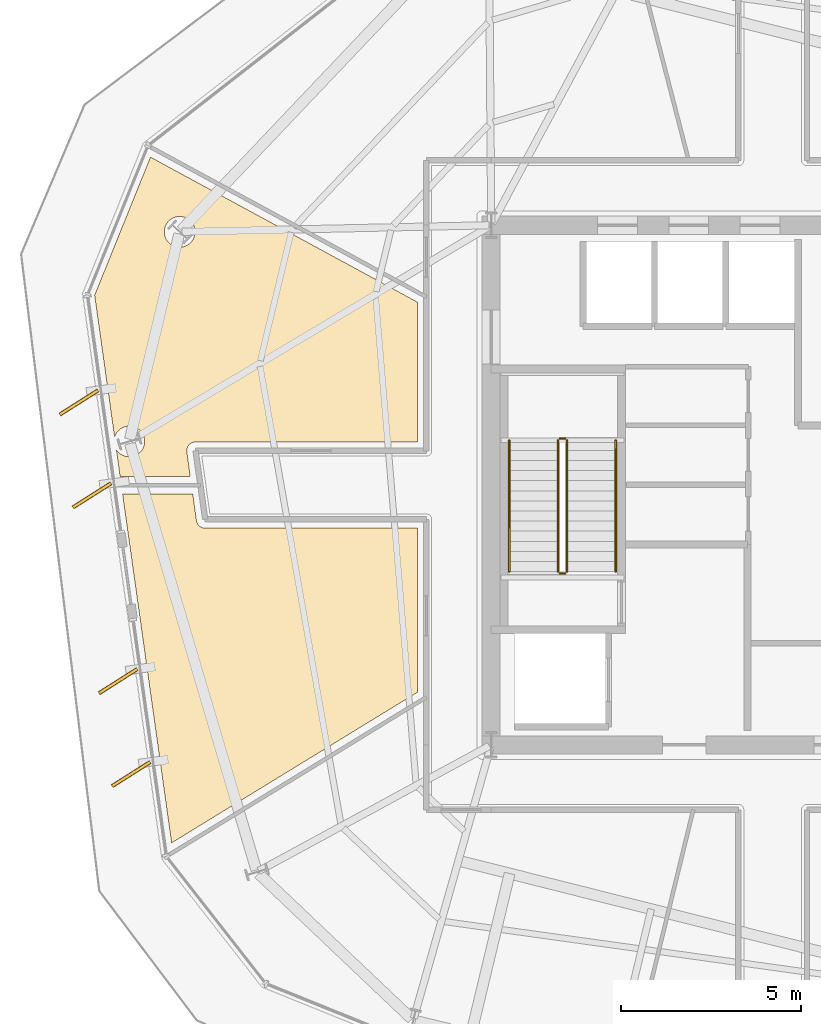
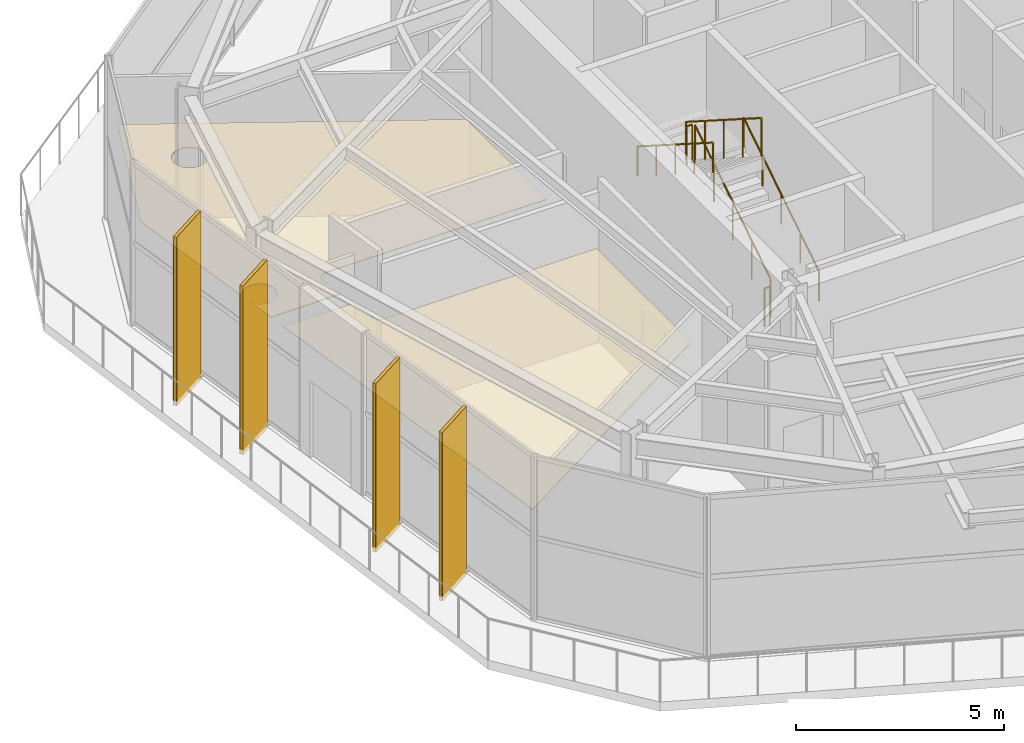
# One storey, part 12 of 14: 6 coverings, 6 railings, 4 shading devices.
"""IFC4 building model written with IfcOpenShell, lengths in metres."""

from ifc_helpers import new_model, si_unit, direction, frame, origin, origin_2d, place, context, subcontext, project, spatial, polyline, rectangle, circle, outline, extrude, material, layer, layer_set, type_object, element, save


model = new_model("IFC4")

# Units and contexts
model_context = context("Model", 3, precision=1e-05, world=origin(), true_north=direction((0.0, 1.0)))
body_context = subcontext(model_context, "Body", "Model", "MODEL_VIEW")
ifc_project = project(units=[si_unit("LENGTHUNIT", "METRE"), si_unit("AREAUNIT", "SQUARE_METRE"), si_unit("VOLUMEUNIT", "CUBIC_METRE"), si_unit("PLANEANGLEUNIT", "RADIAN"), si_unit("MASSUNIT", "GRAM", prefix="KILO")], contexts=[model_context])

# Site, building, storey
site_placement = place(None, origin())
site = spatial("IfcSite", under=ifc_project, at=site_placement, CompositionType="ELEMENT")
building_placement = place(site_placement, origin())
building = spatial("IfcBuilding", under=site, at=building_placement, Name="Kranzbogen Civic Tower", CompositionType="ELEMENT")
storey_placement = place(building_placement, frame((0.0, 0.0, 175.800048828125)))
storey = spatial("IfcBuildingStorey", under=building, at=storey_placement, Name="L42", CompositionType="ELEMENT", Elevation=175.800048828125)

# Coverings
ifc_material_1 = material(Name="Pale Anodised Aluminium", Category="aluminium")
ifc_layer_1 = layer(ifc_material_1, 0.02490234375, Name="Pale Anodised Aluminium")
ifc_layer_set_1 = layer_set([ifc_layer_1], Name="Pale Anodised Aluminium")
covering_type_1 = type_object("IfcCoveringType", Name="Anodised Aluminium Vertical Fin Cladding 25 mm", PredefinedType="CLADDING", material=ifc_layer_set_1)
for number, where, z_axis, x_axis, name in (
    (1, (5.77490234375, 27.2890625, -0.14013671875), (0.0, 0.0, 1.0), (-0.844991264934, -0.534780106384, 0.0), "L42 vertical fin pale-metal cladding F3-1"),
    (2, (6.135986328125, 24.714111328125, -0.14013671875), (0.0, 0.0, 1.0), (-0.844991264934, -0.534780106384, 0.0), "L42 vertical fin pale-metal cladding F3-2"),
    (3, (6.860107421875, 19.56494140625, -0.14013671875), (0.0, 0.0, 1.0), (-0.844991264934, -0.534780106384, 0.0), "L42 vertical fin pale-metal cladding F3-4"),
    (4, (7.221923828125, 16.989990234375, -0.14013671875), (0.0, 0.0, 1.0), (-0.844991264934, -0.534780106384, 0.0), "L42 vertical fin pale-metal cladding F3-5"),
):
    element("IfcCovering", number, at=place(storey_placement, frame(where, z_axis=z_axis, x_axis=x_axis)), inside=storey, type_object=covering_type_1, Name=name, PredefinedType="CLADDING", context=body_context, shape_type="SweptSolid", body=[
        extrude(rectangle(XDim=1.25, YDim=0.10009765625, at=origin_2d()), origin(), (0.0, 0.0, 1.0), 4.9599609375),
    ])

# Shading devices
ifc_material_2 = material(Name="Anodised Bronze Aluminium", Category="aluminium")
shading_device_type = type_object("IfcShadingDeviceType", Name="Anodised Bronze Vertical Facade Fin 1250x80", PredefinedType="USERDEFINED", material=ifc_material_2)
for number, where, z_axis, x_axis, name in (
    (5, (5.77490234375, 27.2890625, -0.14013671875), (0.0, 0.0, 1.0), (-0.844991264934, -0.534780106384, 0.0), "L42 vertical exterior shading fin F3-1"),
    (6, (6.135986328125, 24.714111328125, -0.14013671875), (0.0, 0.0, 1.0), (-0.844991264934, -0.534780106384, 0.0), "L42 vertical exterior shading fin F3-2"),
    (7, (6.860107421875, 19.56494140625, -0.14013671875), (0.0, 0.0, 1.0), (-0.844991264934, -0.534780106384, 0.0), "L42 vertical exterior shading fin F3-4"),
    (8, (7.221923828125, 16.989990234375, -0.14013671875), (0.0, 0.0, 1.0), (-0.844991264934, -0.534780106384, 0.0), "L42 vertical exterior shading fin F3-5"),
):
    element("IfcShadingDevice", number, at=place(storey_placement, frame(where, z_axis=z_axis, x_axis=x_axis)), inside=storey, type_object=shading_device_type, Name=name, ObjectType="FIN", PredefinedType="USERDEFINED", context=body_context, shape_type="SweptSolid", body=[
        extrude(rectangle(XDim=1.25, YDim=0.080078125, at=origin_2d()), origin(), (0.0, 0.0, 1.0), 4.9599609375),
    ])

# Railings
ifc_material_3 = material(Name="Steel S355", Category="steel")
railing_type_1 = type_object("IfcRailingType", Name="Internal Stair and Void Steel Guardrail 1150", PredefinedType="GUARDRAIL", material=ifc_material_3)
railing_1_placement = place(storey_placement, frame((19.300048828125, 22.60009765625, 0.178466796875)))
element("IfcRailing", 9, at=railing_1_placement, inside=storey, type_object=railing_type_1, Name="L42 ST-T1 stair guard 1", PredefinedType="GUARDRAIL", context=body_context, shape_type="SweptSolid", body=[
    extrude(circle(Radius=0.02392578125, at=origin_2d()), frame((0.0, 0.0, 1.1259765625), z_axis=(0.0, 0.843111507901, 0.53773877045), x_axis=(-1.0, 0.0, 0.0)), (0.0, 0.0, 1.0), 4.317138671875),
    extrude(circle(Radius=0.02099609375, at=origin_2d()), origin(), (0.0, 0.0, 1.0), 1.101806640625),
    extrude(circle(Radius=0.02099609375, at=origin_2d()), frame((0.0, 0.909912109375, 0.580322265625)), (0.0, 0.0, 1.0), 1.101806640625),
    extrude(circle(Radius=0.02099609375, at=origin_2d()), frame((0.0, 1.81982421875, 1.16064453125)), (0.0, 0.0, 1.0), 1.101806640625),
    extrude(circle(Radius=0.02099609375, at=origin_2d()), frame((0.0, 2.72998046875, 1.7412109375)), (0.0, 0.0, 1.0), 1.101806640625),
    extrude(circle(Radius=0.02099609375, at=origin_2d()), frame((0.0, 3.639892578125, 2.321533203125)), (0.0, 0.0, 1.0), 1.101806640625),
])
railing_2_placement = place(storey_placement, frame((19.25, 26.2900390625, 2.5)))
element("IfcRailing", 10, at=railing_2_placement, inside=storey, type_object=railing_type_1, Name="L42 ST-T1 stair guard 2", PredefinedType="GUARDRAIL", context=body_context, shape_type="SweptSolid", body=[
    extrude(circle(Radius=0.02392578125, at=origin_2d()), frame((0.0, 0.0, 1.1259765625), z_axis=(-1.0, 0.0, 0.0), x_axis=(0.0, -1.0, 0.0)), (0.0, 0.0, 1.0), 0.14990234375),
    extrude(circle(Radius=0.02099609375, at=origin_2d()), origin(), (0.0, 0.0, 1.0), 1.101806640625),
    extrude(circle(Radius=0.02099609375, at=origin_2d()), frame((-0.14990234375, 0.0, 0.0)), (0.0, 0.0, 1.0), 1.101806640625),
])
railing_3_placement = place(storey_placement, frame((19.050048828125, 26.239990234375, 2.678466796875)))
element("IfcRailing", 11, at=railing_3_placement, inside=storey, type_object=railing_type_1, Name="L42 ST-T1 stair guard 3", PredefinedType="GUARDRAIL", context=body_context, shape_type="SweptSolid", body=[
    extrude(circle(Radius=0.02392578125, at=origin_2d()), frame((0.0, 0.0, 1.1259765625), z_axis=(0.0, -0.843111507901, 0.53773877045), x_axis=(1.0, 0.0, 0.0)), (0.0, 0.0, 1.0), 4.317138671875),
    extrude(circle(Radius=0.02099609375, at=origin_2d()), origin(), (0.0, 0.0, 1.0), 1.101806640625),
    extrude(circle(Radius=0.02099609375, at=origin_2d()), frame((0.0, -0.909912109375, 0.580322265625)), (0.0, 0.0, 1.0), 1.101806640625),
    extrude(circle(Radius=0.02099609375, at=origin_2d()), frame((0.0, -1.81982421875, 1.16064453125)), (0.0, 0.0, 1.0), 1.101806640625),
    extrude(circle(Radius=0.02099609375, at=origin_2d()), frame((0.0, -2.72998046875, 1.7412109375)), (0.0, 0.0, 1.0), 1.101806640625),
    extrude(circle(Radius=0.02099609375, at=origin_2d()), frame((0.0, -3.639892578125, 2.321533203125)), (0.0, 0.0, 1.0), 1.101806640625),
])
railing_4_placement = place(storey_placement, frame((19.25, 22.550048828125, 0.0)))
element("IfcRailing", 12, at=railing_4_placement, inside=storey, type_object=railing_type_1, Name="L42 ST-T1 stair guard 4", PredefinedType="GUARDRAIL", context=body_context, shape_type="SweptSolid", body=[
    extrude(circle(Radius=0.02392578125, at=origin_2d()), frame((0.0, 0.0, 1.1259765625), z_axis=(-1.0, 0.0, 0.0), x_axis=(0.0, -1.0, 0.0)), (0.0, 0.0, 1.0), 0.14990234375),
    extrude(circle(Radius=0.02099609375, at=origin_2d()), origin(), (0.0, 0.0, 1.0), 1.101806640625),
    extrude(circle(Radius=0.02099609375, at=origin_2d()), frame((-0.14990234375, 0.0, 0.0)), (0.0, 0.0, 1.0), 1.101806640625),
])

# Coverings
ifc_material_4 = material(Name="Perforated Acoustic Gypsum Ceiling")
ifc_layer_2 = layer(ifc_material_4, 0.02490234375, Name="Perforated Acoustic Gypsum Ceiling")
ifc_layer_set_2 = layer_set([ifc_layer_2], Name="Perforated Acoustic Gypsum Ceiling")
covering_type_2 = type_object("IfcCoveringType", Name="Perforated Acoustic Mineral Ceiling Tile 25 mm", PredefinedType="CEILING", material=ifc_layer_set_2)
covering_1_placement = place(storey_placement, frame((0.0, 0.0, 2.89990234375)))
element("IfcCovering", 13, at=covering_1_placement, inside=storey, type_object=covering_type_2, Name="L42 Civic Reference Library acoustic ceiling", PredefinedType="CEILING", context=body_context, shape_type="SweptSolid", body=[
    extrude(outline(polyline([(15.155029296875, 30.069091796875), (15.155029296875, 26.195068359375), (9.007080078125, 26.195068359375), (8.998046875, 26.195068359375), (8.990966796875, 26.194091796875), (8.972900390625, 26.193115234375), (8.967041015625, 26.19189453125), (8.948974609375, 26.18798828125), (8.943115234375, 26.18603515625), (8.926025390625, 26.180908203125), (8.9189453125, 26.178955078125), (8.903076171875, 26.172119140625), (8.89697265625, 26.1689453125), (8.881103515625, 26.159912109375), (8.875, 26.156982421875), (8.861083984375, 26.14599609375), (8.85498046875, 26.14208984375), (8.842041015625, 26.131103515625), (8.8369140625, 26.1259765625), (8.823974609375, 26.113037109375), (8.820068359375, 26.10791015625), (8.80908203125, 26.093994140625), (8.804931640625, 26.089111328125), (8.794921875, 26.072998046875), (8.7919921875, 26.068115234375), (8.783935546875, 26.051025390625), (8.781005859375, 26.044921875), (8.77490234375, 26.029052734375), (8.77294921875, 26.02197265625), (8.76806640625, 26.0048828125), (8.76708984375, 25.998046875), (8.763916015625, 25.98095703125), (8.762939453125, 25.97412109375), (8.761962890625, 25.9560546875), (8.761962890625, 25.948974609375), (8.762939453125, 25.930908203125), (8.762939453125, 25.925048828125), (8.763916015625, 25.916015625), (8.860107421875, 25.236083984375), (6.916015625, 25.235107421875), (6.81103515625, 25.985107421875), (6.818115234375, 25.972900390625), (6.843017578125, 25.93896484375), (6.87109375, 25.907958984375), (6.902099609375, 25.8798828125), (6.93603515625, 25.85498046875), (6.970947265625, 25.833984375), (7.009033203125, 25.81591796875), (7.048095703125, 25.802001953125), (7.089111328125, 25.7919921875), (7.1298828125, 25.785888671875), (7.172119140625, 25.783935546875), (7.214111328125, 25.785888671875), (7.2548828125, 25.7919921875), (7.2958984375, 25.802001953125), (7.3349609375, 25.81591796875), (7.373046875, 25.833984375), (7.407958984375, 25.85498046875), (7.44189453125, 25.8798828125), (7.472900390625, 25.907958984375), (7.5009765625, 25.93896484375), (7.52587890625, 25.972900390625), (7.547119140625, 26.008056640625), (7.56494140625, 26.0458984375), (7.5791015625, 26.0849609375), (7.589111328125, 26.1259765625), (7.594970703125, 26.1669921875), (7.596923828125, 26.208984375), (7.594970703125, 26.2509765625), (7.589111328125, 26.2919921875), (7.5791015625, 26.3330078125), (7.56494140625, 26.3720703125), (7.547119140625, 26.409912109375), (7.52587890625, 26.445068359375), (7.5009765625, 26.47900390625), (7.472900390625, 26.510009765625), (7.44189453125, 26.5380859375), (7.407958984375, 26.56298828125), (7.373046875, 26.583984375), (7.3349609375, 26.60205078125), (7.2958984375, 26.615966796875), (7.2548828125, 26.6259765625), (7.214111328125, 26.632080078125), (7.172119140625, 26.634033203125), (7.1298828125, 26.632080078125), (7.089111328125, 26.6259765625), (7.048095703125, 26.615966796875), (7.009033203125, 26.60205078125), (6.970947265625, 26.583984375), (6.93603515625, 26.56298828125), (6.902099609375, 26.5380859375), (6.87109375, 26.510009765625), (6.843017578125, 26.47900390625), (6.818115234375, 26.445068359375), (6.797119140625, 26.409912109375), (6.779052734375, 26.3720703125), (6.764892578125, 26.3330078125), (6.762939453125, 26.324951171875), (6.2099609375, 30.259033203125), (7.757080078125, 34.0869140625), (15.155029296875, 30.069091796875)]), holes=[polyline([(8.9599609375, 31.85302734375), (8.94189453125, 31.81494140625), (8.9208984375, 31.780029296875), (8.89599609375, 31.74609375), (8.867919921875, 31.715087890625), (8.8369140625, 31.68701171875), (8.802978515625, 31.662109375), (8.76806640625, 31.64111328125), (8.72998046875, 31.623046875), (8.69091796875, 31.60888671875), (8.64990234375, 31.59912109375), (8.60888671875, 31.593017578125), (8.56689453125, 31.591064453125), (8.52490234375, 31.593017578125), (8.48388671875, 31.59912109375), (8.443115234375, 31.60888671875), (8.404052734375, 31.623046875), (8.365966796875, 31.64111328125), (8.3310546875, 31.662109375), (8.297119140625, 31.68701171875), (8.26611328125, 31.715087890625), (8.238037109375, 31.74609375), (8.212890625, 31.780029296875), (8.19189453125, 31.81494140625), (8.174072265625, 31.85302734375), (8.159912109375, 31.89208984375), (8.14990234375, 31.93310546875), (8.14404296875, 31.97412109375), (8.14208984375, 32.01611328125), (8.14404296875, 32.05810546875), (8.14990234375, 32.09912109375), (8.159912109375, 32.139892578125), (8.174072265625, 32.178955078125), (8.19189453125, 32.217041015625), (8.212890625, 32.251953125), (8.238037109375, 32.285888671875), (8.26611328125, 32.31689453125), (8.297119140625, 32.344970703125), (8.3310546875, 32.3701171875), (8.365966796875, 32.39111328125), (8.404052734375, 32.408935546875), (8.443115234375, 32.423095703125), (8.48388671875, 32.43310546875), (8.52490234375, 32.43896484375), (8.56689453125, 32.44091796875), (8.60888671875, 32.43896484375), (8.64990234375, 32.43310546875), (8.69091796875, 32.423095703125), (8.72998046875, 32.408935546875), (8.76806640625, 32.39111328125), (8.802978515625, 32.3701171875), (8.8369140625, 32.344970703125), (8.867919921875, 32.31689453125), (8.89599609375, 32.285888671875), (8.9208984375, 32.251953125), (8.94189453125, 32.217041015625), (8.9599609375, 32.178955078125), (8.97412109375, 32.139892578125), (8.98388671875, 32.09912109375), (8.989990234375, 32.05810546875), (8.991943359375, 32.01611328125), (8.989990234375, 31.97412109375), (8.98388671875, 31.93310546875), (8.97412109375, 31.89208984375), (8.9599609375, 31.85302734375)])]), origin(), (0.0, 0.0, 1.0), 0.025146484375),
])
covering_2_placement = place(storey_placement, frame((0.0, 0.0, 2.89990234375)))
element("IfcCovering", 14, at=covering_2_placement, inside=storey, type_object=covering_type_2, Name="L42 Urban Design Workshop acoustic ceiling", PredefinedType="CEILING", context=body_context, shape_type="SweptSolid", body=[
    extrude(outline(polyline([(9.032958984375, 24.007080078125), (9.033935546875, 24.0009765625), (9.0380859375, 23.985107421875), (9.0400390625, 23.97900390625), (9.044921875, 23.9619140625), (9.048095703125, 23.95703125), (9.054931640625, 23.94091796875), (9.056884765625, 23.93603515625), (9.06591796875, 23.9208984375), (9.069091796875, 23.9150390625), (9.0791015625, 23.90087890625), (9.0830078125, 23.89697265625), (9.093994140625, 23.884033203125), (9.09912109375, 23.87890625), (9.111083984375, 23.866943359375), (9.115966796875, 23.863037109375), (9.12890625, 23.85205078125), (9.134033203125, 23.84912109375), (9.14892578125, 23.840087890625), (9.154052734375, 23.8359375), (9.1689453125, 23.8291015625), (9.175048828125, 23.825927734375), (9.19091796875, 23.820068359375), (9.197021484375, 23.818115234375), (9.212890625, 23.81298828125), (9.218994140625, 23.81103515625), (9.236083984375, 23.80810546875), (9.241943359375, 23.806884765625), (9.259033203125, 23.805908203125), (9.264892578125, 23.804931640625), (9.27392578125, 23.804931640625), (15.155029296875, 23.804931640625), (15.155029296875, 19.257080078125), (8.343017578125, 15.083984375), (6.985107421875, 24.7451171875), (8.928955078125, 24.74609375), (9.031005859375, 24.01611328125), (9.032958984375, 24.007080078125)])), origin(), (0.0, 0.0, 1.0), 0.025146484375),
])

# Railings
railing_type_2 = type_object("IfcRailingType", Name="Tubular Stainless Stair Wall Handrail 900", PredefinedType="HANDRAIL", material=ifc_material_1)
railing_5_placement = place(storey_placement, frame((20.64990234375, 22.60009765625, 0.178466796875)))
element("IfcRailing", 15, at=railing_5_placement, inside=storey, type_object=railing_type_2, Name="L42 ST-T1 stair handrail 1", PredefinedType="HANDRAIL", context=body_context, shape_type="SweptSolid", body=[
    extrude(circle(Radius=0.02392578125, at=origin_2d()), frame((0.0, 0.0, 0.8759765625), z_axis=(0.0, 0.843111507901, 0.53773877045), x_axis=(-1.0, 0.0, 0.0)), (0.0, 0.0, 1.0), 4.317138671875),
    extrude(circle(Radius=0.02099609375, at=origin_2d()), origin(), (0.0, 0.0, 1.0), 0.851806640625),
    extrude(circle(Radius=0.02099609375, at=origin_2d()), frame((0.0, 0.909912109375, 0.580322265625)), (0.0, 0.0, 1.0), 0.851806640625),
    extrude(circle(Radius=0.02099609375, at=origin_2d()), frame((0.0, 1.81982421875, 1.16064453125)), (0.0, 0.0, 1.0), 0.851806640625),
    extrude(circle(Radius=0.02099609375, at=origin_2d()), frame((0.0, 2.72998046875, 1.7412109375)), (0.0, 0.0, 1.0), 0.851806640625),
    extrude(circle(Radius=0.02099609375, at=origin_2d()), frame((0.0, 3.639892578125, 2.321533203125)), (0.0, 0.0, 1.0), 0.851806640625),
])
railing_6_placement = place(storey_placement, frame((17.699951171875, 26.239990234375, 2.678466796875)))
element("IfcRailing", 16, at=railing_6_placement, inside=storey, type_object=railing_type_2, Name="L42 ST-T1 stair handrail 2", PredefinedType="HANDRAIL", context=body_context, shape_type="SweptSolid", body=[
    extrude(circle(Radius=0.02392578125, at=origin_2d()), frame((0.0, 0.0, 0.8759765625), z_axis=(0.0, -0.843111507901, 0.53773877045), x_axis=(1.0, 0.0, 0.0)), (0.0, 0.0, 1.0), 4.317138671875),
    extrude(circle(Radius=0.02099609375, at=origin_2d()), origin(), (0.0, 0.0, 1.0), 0.851806640625),
    extrude(circle(Radius=0.02099609375, at=origin_2d()), frame((0.0, -0.909912109375, 0.580322265625)), (0.0, 0.0, 1.0), 0.851806640625),
    extrude(circle(Radius=0.02099609375, at=origin_2d()), frame((0.0, -1.81982421875, 1.16064453125)), (0.0, 0.0, 1.0), 0.851806640625),
    extrude(circle(Radius=0.02099609375, at=origin_2d()), frame((0.0, -2.72998046875, 1.7412109375)), (0.0, 0.0, 1.0), 0.851806640625),
    extrude(circle(Radius=0.02099609375, at=origin_2d()), frame((0.0, -3.639892578125, 2.321533203125)), (0.0, 0.0, 1.0), 0.851806640625),
])

save(model, "model.ifc")
